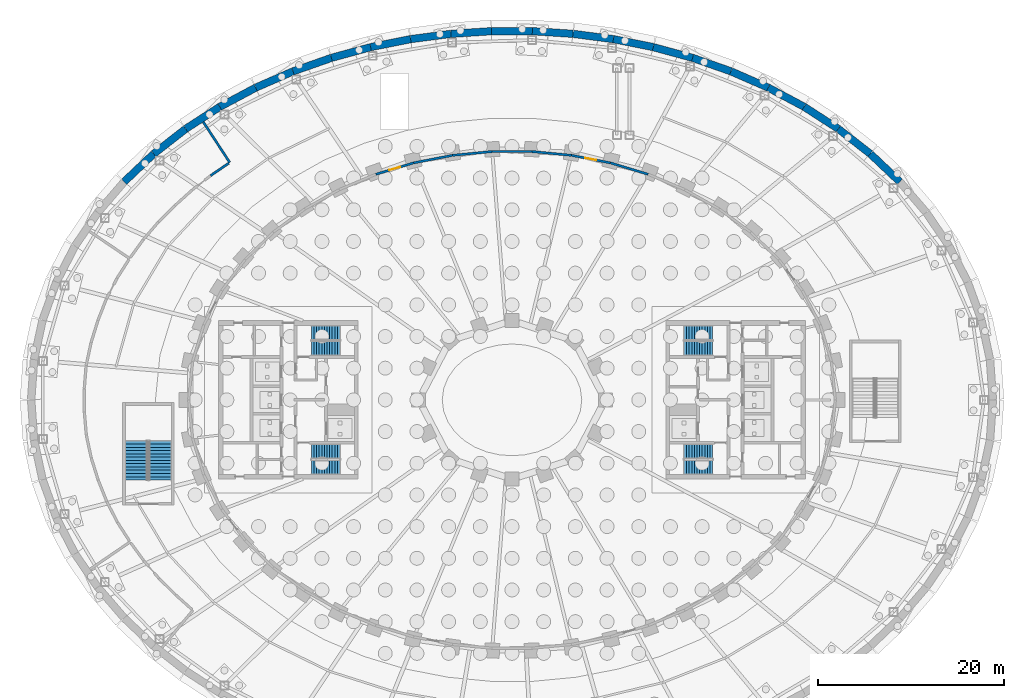
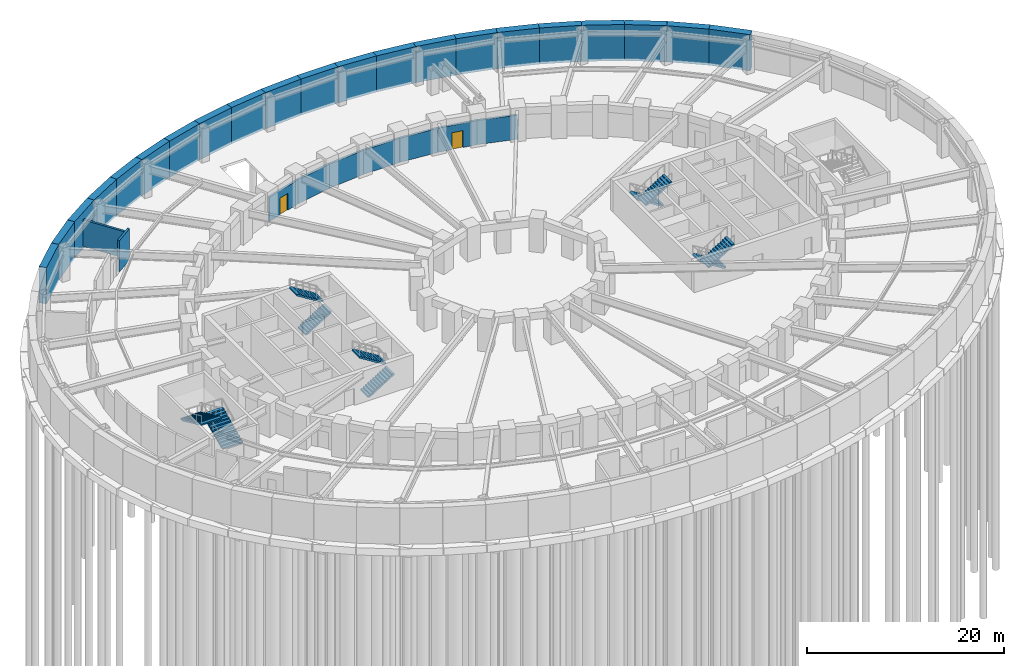
# One storey, part 15 of 19: 30 walls, 10 stair flights, 2 doors, 2 openings, 5 elements without a shape of their own.
"""IFC4 building model written with IfcOpenShell, lengths in metres."""

import ifcopenshell
import ifcopenshell.guid

model = None  # the IFC model being written
_history = None  # IfcOwnerHistory: only IFC2X3 demands one
_inside = {}  # id of a spatial element -> (the spatial element, [elements in it])
_under = {}  # id of a project, library or spatial element -> (it, [spatial elements below it])
_declared = {}  # id of a project -> (the project, [libraries it declares])
_typed = {}  # id of a type object -> (the type object, [elements of that type])
_made_of = {}  # id of a material, layer set ... -> (it, [elements and type objects made of it])


def new_model(schema):
    """Start an empty IFC model of exactly this schema.

    Asked for "IFC4X3", IfcOpenShell would pick the latest addendum, in which some entities
    have other attributes; the version numbers below select the first issue.
    IFC2X3 requires an IfcOwnerHistory on every rooted entity: one is made here for all.
    """
    global model, _history
    if schema == "IFC4X3":
        model = ifcopenshell.file(schema_version=(4, 3, 0, 0))
    else:
        model = ifcopenshell.file(schema=schema)
    _inside.clear()
    _under.clear()
    _declared.clear()
    _typed.clear()
    _made_of.clear()
    _history = None
    if model.schema == "IFC2X3":
        org = make("IfcOrganization", Name="unknown")
        user = make(
            "IfcPersonAndOrganization",
            ThePerson=make("IfcPerson", FamilyName="unknown"),
            TheOrganization=org,
        )
        app = make(
            "IfcApplication",
            ApplicationDeveloper=org,
            Version="unknown",
            ApplicationFullName="unknown",
            ApplicationIdentifier="unknown",
        )
        _history = make(
            "IfcOwnerHistory",
            OwningUser=user,
            OwningApplication=app,
            ChangeAction="ADDED",
            CreationDate=0,
        )
    return model


def make(cls, **values):
    """One entity of the class cls with the attributes given. An attribute that is None is left unset."""
    return model.create_entity(
        cls, **{name: value for name, value in values.items() if value is not None}
    )


def rooted(cls, **values):
    """An entity with a GlobalId (a new one), such as an element, a storey or a relation."""
    return make(cls, GlobalId=ifcopenshell.guid.new(), OwnerHistory=_history, **values)


def si_unit(unit_type, name, prefix=None):
    """IfcSIUnit, for example si_unit("LENGTHUNIT", "METRE", prefix="MILLI")."""
    return make("IfcSIUnit", UnitType=unit_type, Prefix=prefix, Name=name)


def assignment(units):
    """IfcUnitAssignment: the units of a project."""
    return None if units is None else make("IfcUnitAssignment", Units=units)


def point(xyz):
    """IfcCartesianPoint."""
    return None if xyz is None else make("IfcCartesianPoint", Coordinates=xyz)


def direction(xyz):
    """IfcDirection."""
    return None if xyz is None else make("IfcDirection", DirectionRatios=xyz)


def frame(location, z_axis=None, x_axis=None):
    """IfcAxis2Placement3D, a coordinate frame: its origin and axes. An axis left out is left unset."""
    return make(
        "IfcAxis2Placement3D",
        Location=point(location),
        Axis=direction(z_axis),
        RefDirection=direction(x_axis),
    )


def frame_2d(location, x_axis=None):
    """IfcAxis2Placement2D, a coordinate frame in the plane: its origin and x axis."""
    return make(
        "IfcAxis2Placement2D", Location=point(location), RefDirection=direction(x_axis)
    )


def origin():
    """The frame at (0, 0, 0) with its axes left unset."""
    return frame((0.0, 0.0, 0.0))


def place(relative_to, where):
    """IfcLocalPlacement: puts the frame where relative to a parent placement (None: the world)."""
    return make(
        "IfcLocalPlacement", PlacementRelTo=relative_to, RelativePlacement=where
    )


def context(
    kind, dimensions, precision=None, world=None, true_north=None, identifier=None
):
    """IfcGeometricRepresentationContext, for example the 3D "Model" context."""
    return make(
        "IfcGeometricRepresentationContext",
        ContextIdentifier=identifier,
        ContextType=kind,
        CoordinateSpaceDimension=dimensions,
        Precision=precision,
        WorldCoordinateSystem=world,
        TrueNorth=true_north,
    )


def subcontext(parent, identifier, kind, view, scale=None):
    """IfcGeometricRepresentationSubContext, for example "Body" below "Model"."""
    return make(
        "IfcGeometricRepresentationSubContext",
        ContextIdentifier=identifier,
        ContextType=kind,
        ParentContext=parent,
        TargetScale=scale,
        TargetView=view,
    )


def project(units=None, contexts=None):
    """IfcProject with its units and contexts."""
    return rooted(
        "IfcProject",
        Name="project",
        RepresentationContexts=contexts,
        UnitsInContext=assignment(units),
    )


def spatial(cls, under=None, at=None, **own):
    """A site, building, storey or space (cls), placed at a placement, below another one or the project."""
    s = rooted(cls, ObjectPlacement=at, **own)
    if under is not None:
        _under.setdefault(under.id(), (under, []))[1].append(s)
    return s


def polyline(points):
    """IfcPolyline through the points."""
    return make("IfcPolyline", Points=[point(p) for p in points])


def profile(cls, at=None, kind="AREA", **sizes):
    """A parametric profile (cls). Its sizes go by their IFC names, for example OverallWidth=200.0."""
    return make(cls, ProfileType=kind, Position=at, **sizes)


def rectangle(**sizes):
    """IfcRectangleProfileDef."""
    return profile("IfcRectangleProfileDef", **sizes)


def outline(outer, holes=None, kind="AREA"):
    """IfcArbitraryClosedProfileDef: a profile drawn as a closed curve; with holes, ...WithVoids."""
    if holes is None:
        return make("IfcArbitraryClosedProfileDef", ProfileType=kind, OuterCurve=outer)
    return make(
        "IfcArbitraryProfileDefWithVoids",
        ProfileType=kind,
        OuterCurve=outer,
        InnerCurves=holes,
    )


def extrude(swept, where, along, depth):
    """IfcExtrudedAreaSolid: the profile swept, set in the frame where, extruded along a direction by depth."""
    return make(
        "IfcExtrudedAreaSolid",
        SweptArea=swept,
        Position=where,
        ExtrudedDirection=direction(along),
        Depth=depth,
    )


def shape(context_of_items, identifier, shape_type, items):
    """IfcShapeRepresentation: the items that make up one representation, for example the "Body"."""
    return make(
        "IfcShapeRepresentation",
        ContextOfItems=context_of_items,
        RepresentationIdentifier=identifier,
        RepresentationType=shape_type,
        Items=items,
    )


def material(Name=None, Category=None):
    """IfcMaterial."""
    return make("IfcMaterial", Name=Name, Category=Category)


def layer(
    of_material, thickness, ventilated=None, Name=None, Category=None, Priority=None
):
    """IfcMaterialLayer: one layer of a wall or slab, of a material (None: an air gap)."""
    return make(
        "IfcMaterialLayer",
        Material=of_material,
        LayerThickness=thickness,
        IsVentilated=ventilated,
        Name=Name,
        Category=Category,
        Priority=Priority,
    )


def layer_set(layers, Name=None):
    """IfcMaterialLayerSet."""
    return make("IfcMaterialLayerSet", MaterialLayers=layers, LayerSetName=Name)


def made_of(thing, what):
    """Note that an element or type object is made of a material, layer set ...; save() writes the relation."""
    if what is not None:
        _made_of.setdefault(what.id(), (what, []))[1].append(thing)
    return thing


def type_object(cls, material=None, **own):
    """A type object (cls), such as IfcWallType, which elements share."""
    return made_of(rooted(cls, **own), material)


def element(
    cls,
    number,
    at=None,
    inside=None,
    cuts=None,
    type_object=None,
    material=None,
    context=None,
    identifier="Body",
    shape_type=None,
    held_by="IfcProductDefinitionShape",
    body=None,
    shapes=None,
    **own,
):
    """One element of the class cls, such as IfcWall. Its Tag is "e" and its number.

    at: its placement. inside: the storey or other place that contains it. cuts: it is an
    opening in that element (IfcRelVoidsElement). A single representation is given by context,
    identifier, shape_type and body (its items); several are given by shapes. held_by: the class
    of the entity that holds the representations. save() writes the other relations.
    """
    e = rooted(cls, Tag="e%d" % number, ObjectPlacement=at, **own)
    if body is not None:
        shapes = [shape(context, identifier, shape_type, body)]
    if shapes is not None:
        e.Representation = make(held_by, Representations=shapes)
    if inside is not None:
        _inside.setdefault(inside.id(), (inside, []))[1].append(e)
    if cuts is not None:
        rooted(
            "IfcRelVoidsElement", RelatingBuildingElement=cuts, RelatedOpeningElement=e
        )
    if type_object is not None:
        _typed.setdefault(type_object.id(), (type_object, []))[1].append(e)
    return made_of(e, material)


def fill(opening, filler):
    """IfcRelFillsElement: the door or window that sits in an opening."""
    return rooted(
        "IfcRelFillsElement",
        RelatingOpeningElement=opening,
        RelatedBuildingElement=filler,
    )


def aggregate(whole, parts):
    """IfcRelAggregates: a whole, such as a stair, and the parts it consists of."""
    return rooted("IfcRelAggregates", RelatingObject=whole, RelatedObjects=parts)


def save(model, path):
    """Write the relations noted so far, then the file.

    IfcRelAggregates (storeys below a building ...), IfcRelContainedInSpatialStructure (elements
    in a storey), IfcRelDefinesByType, IfcRelAssociatesMaterial and IfcRelDeclares: one each for
    every whole, place, type object, material and project.
    """
    for whole, parts in _under.values():
        aggregate(whole, parts)
    for where, things in _inside.values():
        rooted(
            "IfcRelContainedInSpatialStructure",
            RelatedElements=things,
            RelatingStructure=where,
        )
    for kind, things in _typed.values():
        rooted("IfcRelDefinesByType", RelatedObjects=things, RelatingType=kind)
    for what, things in _made_of.values():
        rooted("IfcRelAssociatesMaterial", RelatedObjects=things, RelatingMaterial=what)
    for by, libraries in _declared.values():
        rooted("IfcRelDeclares", RelatingContext=by, RelatedDefinitions=libraries)
    model.write(path)


model = new_model("IFC4")

# Units and contexts
model_context = context("Model", 3, precision=1e-05, world=origin(), true_north=direction((0.0, 1.0)))
body_context = subcontext(model_context, "Body", "Model", "MODEL_VIEW")
ifc_project = project(units=[si_unit("LENGTHUNIT", "METRE"), si_unit("AREAUNIT", "SQUARE_METRE"), si_unit("VOLUMEUNIT", "CUBIC_METRE"), si_unit("PLANEANGLEUNIT", "RADIAN"), si_unit("MASSUNIT", "GRAM", prefix="KILO")], contexts=[model_context])

# Site, building, storey
site_placement = place(None, origin())
site = spatial("IfcSite", under=ifc_project, at=site_placement, CompositionType="ELEMENT")
building_placement = place(site_placement, origin())
building = spatial("IfcBuilding", under=site, at=building_placement, Name="Noorbagh Ring Tower", CompositionType="ELEMENT")
storey_placement = place(building_placement, frame((0.0, 0.0, -8.39990234375)))
storey = spatial("IfcBuildingStorey", under=building, at=storey_placement, Name="B2", CompositionType="ELEMENT", Elevation=-8.39990234375)

# Walls
ifc_material_1 = material(Name="Concrete C40/50", Category="concrete")
ifc_layer_1 = layer(ifc_material_1, 0.25)
ifc_layer_set_1 = layer_set([ifc_layer_1], Name="Concrete C40/50")
wall_type_1 = type_object("IfcWallType", Name="GND-WALL-250", PredefinedType="SOLIDWALL", material=ifc_layer_set_1)
wall_1_placement = place(storey_placement, frame((-30.388671875, 25.400146484375, 0.0), z_axis=(0.0, 0.0, 1.0), x_axis=(-0.825532464696, -0.564354631178, 0.0)))
element("IfcWall", 1, at=wall_1_placement, inside=storey, type_object=wall_type_1, Name="Plant room", PredefinedType="SOLIDWALL", context=body_context, shape_type="SweptSolid", body=[
    extrude(rectangle(XDim=2.365966796875, YDim=0.25, at=frame_2d((1.18310546875, 0.0))), origin(), (0.0, 0.0, 1.0), 3.89990234375),
])
wall_2_placement = place(storey_placement, frame((-30.285400390625, 25.470703125, 0.0), z_axis=(0.0, 0.0, 1.0), x_axis=(-0.54701658568, 0.837121768318, 0.0)))
element("IfcWall", 2, at=wall_2_placement, inside=storey, type_object=wall_type_1, Name="Plant room", PredefinedType="SOLIDWALL", context=body_context, shape_type="SweptSolid", body=[
    extrude(rectangle(XDim=5.199951171875, YDim=0.25, at=frame_2d((2.60009765625, 0.0))), origin(), (0.0, 0.0, 1.0), 3.2998046875),
])
ifc_material_2 = material(Name="Concrete C40/50", Category="concrete")
ifc_layer_2 = layer(ifc_material_2, 0.25)
ifc_layer_set_2 = layer_set([ifc_layer_2], Name="Concrete C40/50")
wall_type_2 = type_object("IfcWallType", Name="GND-WALL-RING", PredefinedType="SOLIDWALL", material=ifc_layer_set_2)
wall_3_placement = place(storey_placement, frame((14.6162109375, 24.2080078125, 0.0), z_axis=(0.0, 0.0, 1.0), x_axis=(-0.957589494621, 0.28813600919, 0.0)))
element("IfcWall", 3, at=wall_3_placement, inside=storey, type_object=wall_type_2, Name="Tower basement fire wall", PredefinedType="SOLIDWALL", context=body_context, shape_type="SweptSolid", body=[
    extrude(rectangle(XDim=4.234130859375, YDim=0.25, at=frame_2d((2.1171875, 0.0))), origin(), (0.0, 0.0, 1.0), 3.0),
])

# Wall, opening, door
wall_4_placement = place(storey_placement, frame((10.544189453125, 25.432373046875, 0.0), z_axis=(0.0, 0.0, 1.0), x_axis=(-0.981622881166, 0.190831127365, 0.0)))
wall_4 = element("IfcWall", 4, at=wall_4_placement, inside=storey, type_object=wall_type_2, Name="Tower basement fire wall", PredefinedType="SOLIDWALL", context=body_context, shape_type="SweptSolid", body=[
    extrude(rectangle(XDim=4.23974609375, YDim=0.25, at=frame_2d((2.119873046875, 0.0))), origin(), (0.0, 0.0, 1.0), 3.0),
])
opening_1_placement = place(wall_4_placement, frame((1.52001953125, 0.0, 0.0)))
opening_1 = element("IfcOpeningElement", 5, at=opening_1_placement, cuts=wall_4, Name="Opening GD4", PredefinedType="OPENING", context=body_context, shape_type="SweptSolid", body=[
    extrude(rectangle(XDim=1.199951171875, YDim=2.10009765625, at=frame_2d((0.60009765625, 1.050048828125))), frame((0.0, 0.135009765625, 0.0), z_axis=(0.0, -1.0, 0.0), x_axis=(1.0, 0.0, 0.0)), (0.0, 0.0, 1.0), 0.27001953125),
])
ifc_material_3 = material(Name="Steel", Category="steel")
door_type = type_object("IfcDoorType", Name="GND-DOOR-RING", OperationType="DOUBLE_DOOR_SINGLE_SWING", PredefinedType="DOOR", material=ifc_material_3)
door_1_placement = place(opening_1_placement, origin())
door_1 = element("IfcDoor", 6, at=door_1_placement, inside=storey, type_object=door_type, Name="Tower basement door", OperationType="DOUBLE_DOOR_SINGLE_SWING", OverallHeight=2.10009765625, OverallWidth=1.199951171875, PredefinedType="DOOR", context=body_context, shape_type="SweptSolid", body=[
    extrude(rectangle(XDim=1.199951171875, YDim=2.10009765625, at=frame_2d((0.60009765625, 1.050048828125))), frame((0.0, 0.02490234375, 0.0), z_axis=(0.0, -1.0, 0.0), x_axis=(1.0, 0.0, 0.0)), (0.0, 0.0, 1.0), 0.050048828125),
])
fill(opening_1, door_1)

# Walls
wall_5_placement = place(storey_placement, frame((6.364501953125, 26.243896484375, 0.0), z_axis=(0.0, 0.0, 1.0), x_axis=(-0.995473208191, 0.09504257874, 0.0)))
element("IfcWall", 7, at=wall_5_placement, inside=storey, type_object=wall_type_2, Name="Tower basement fire wall", PredefinedType="SOLIDWALL", context=body_context, shape_type="SweptSolid", body=[
    extrude(rectangle(XDim=4.24365234375, YDim=0.25, at=frame_2d((2.121826171875, 0.0))), origin(), (0.0, 0.0, 1.0), 3.0),
])
wall_6_placement = place(storey_placement, frame((2.122314453125, 26.64794921875, 0.0), z_axis=(0.0, 0.0, 1.0), x_axis=(-1.0, 0.0, 0.0)))
element("IfcWall", 8, at=wall_6_placement, inside=storey, type_object=wall_type_2, Name="Tower basement fire wall", PredefinedType="SOLIDWALL", context=body_context, shape_type="SweptSolid", body=[
    extrude(rectangle(XDim=4.24462890625, YDim=0.25, at=frame_2d((2.122314453125, 0.0))), origin(), (0.0, 0.0, 1.0), 3.0),
])
wall_7_placement = place(storey_placement, frame((-2.14013671875, 26.647216796875, 0.0), z_axis=(0.0, 0.0, 1.0), x_axis=(-0.995473208191, -0.09504257874, 0.0)))
element("IfcWall", 9, at=wall_7_placement, inside=storey, type_object=wall_type_2, Name="Tower basement fire wall", PredefinedType="SOLIDWALL", context=body_context, shape_type="SweptSolid", body=[
    extrude(rectangle(XDim=4.24365234375, YDim=0.25, at=frame_2d((2.121826171875, 0.0))), origin(), (0.0, 0.0, 1.0), 3.0),
])
wall_8_placement = place(storey_placement, frame((-6.38232421875, 26.241455078125, 0.0), z_axis=(0.0, 0.0, 1.0), x_axis=(-0.981622881166, -0.190831127365, 0.0)))
element("IfcWall", 10, at=wall_8_placement, inside=storey, type_object=wall_type_2, Name="Tower basement fire wall", PredefinedType="SOLIDWALL", context=body_context, shape_type="SweptSolid", body=[
    extrude(rectangle(XDim=4.23974609375, YDim=0.25, at=frame_2d((2.119873046875, 0.0))), origin(), (0.0, 0.0, 1.0), 3.0),
])

# Wall, opening, door
wall_9_placement = place(storey_placement, frame((-10.561767578125, 25.427978515625, 0.0), z_axis=(0.0, 0.0, 1.0), x_axis=(-0.957589494621, -0.28813600919, 0.0)))
wall_9 = element("IfcWall", 11, at=wall_9_placement, inside=storey, type_object=wall_type_2, Name="Tower basement fire wall", PredefinedType="SOLIDWALL", context=body_context, shape_type="SweptSolid", body=[
    extrude(rectangle(XDim=4.234130859375, YDim=0.25, at=frame_2d((2.1171875, 0.0))), origin(), (0.0, 0.0, 1.0), 3.0),
])
opening_2_placement = place(wall_9_placement, frame((1.51708984375, 0.0, 0.0)))
opening_2 = element("IfcOpeningElement", 12, at=opening_2_placement, cuts=wall_9, Name="Opening GD4", PredefinedType="OPENING", context=body_context, shape_type="SweptSolid", body=[
    extrude(rectangle(XDim=1.199951171875, YDim=2.10009765625, at=frame_2d((0.60009765625, 1.050048828125))), frame((0.0, 0.135009765625, 0.0), z_axis=(0.0, -1.0, 0.0), x_axis=(1.0, 0.0, 0.0)), (0.0, 0.0, 1.0), 0.27001953125),
])
door_2_placement = place(opening_2_placement, origin())
door_2 = element("IfcDoor", 13, at=door_2_placement, inside=storey, type_object=door_type, Name="Tower basement door", OperationType="DOUBLE_DOOR_SINGLE_SWING", OverallHeight=2.10009765625, OverallWidth=1.199951171875, PredefinedType="DOOR", context=body_context, shape_type="SweptSolid", body=[
    extrude(rectangle(XDim=1.199951171875, YDim=2.10009765625, at=frame_2d((0.60009765625, 1.050048828125))), frame((0.0, 0.02490234375, 0.0), z_axis=(0.0, -1.0, 0.0), x_axis=(1.0, 0.0, 0.0)), (0.0, 0.0, 1.0), 0.050048828125),
])
fill(opening_2, door_2)

# Walls
ifc_material_4 = material(Name="Concrete C40/50", Category="concrete")
ifc_layer_3 = layer(ifc_material_4, 0.800048828125)
ifc_layer_set_3 = layer_set([ifc_layer_3], Name="Concrete C40/50")
wall_type_3 = type_object("IfcWallType", Name="STR-RETAINING-WALL", PredefinedType="SOLIDWALL", material=ifc_layer_set_3)
wall_10_placement = place(storey_placement, frame((41.61669921875, 23.406005859375, -0.300048828125), z_axis=(0.0, 0.0, 1.0), x_axis=(-0.72620446032, 0.687478786444, 0.0)))
element("IfcWall", 14, at=wall_10_placement, inside=storey, type_object=wall_type_3, Name="B2/retwall/07", PredefinedType="SOLIDWALL", context=body_context, shape_type="SweptSolid", body=[
    extrude(rectangle(XDim=4.356201171875, YDim=0.800048828125, at=frame_2d((2.17822265625, 0.0))), origin(), (0.0, 0.0, 1.0), 4.5),
])
wall_11_placement = place(storey_placement, frame((38.453125, 26.40087890625, -0.300048828125), z_axis=(0.0, 0.0, 1.0), x_axis=(-0.788491985196, 0.615045030288, 0.0)))
element("IfcWall", 15, at=wall_11_placement, inside=storey, type_object=wall_type_3, Name="B2/retwall/08", PredefinedType="SOLIDWALL", context=body_context, shape_type="SweptSolid", body=[
    extrude(rectangle(XDim=4.359375, YDim=0.800048828125, at=frame_2d((2.1796875, 0.0))), origin(), (0.0, 0.0, 1.0), 4.5),
])
wall_12_placement = place(storey_placement, frame((35.015869140625, 29.08203125, -0.300048828125), z_axis=(0.0, 0.0, 1.0), x_axis=(-0.840047348843, 0.542513088969, 0.0)))
element("IfcWall", 16, at=wall_12_placement, inside=storey, type_object=wall_type_3, Name="B2/retwall/09", PredefinedType="SOLIDWALL", context=body_context, shape_type="SweptSolid", body=[
    extrude(rectangle(XDim=4.362060546875, YDim=0.800048828125, at=frame_2d((2.18115234375, 0.0))), origin(), (0.0, 0.0, 1.0), 4.5),
])
wall_13_placement = place(storey_placement, frame((31.3515625, 31.448486328125, -0.300048828125), z_axis=(0.0, 0.0, 1.0), x_axis=(-0.882159305704, 0.47095112205, 0.0)))
element("IfcWall", 17, at=wall_13_placement, inside=storey, type_object=wall_type_3, Name="B2/retwall/10", PredefinedType="SOLIDWALL", context=body_context, shape_type="SweptSolid", body=[
    extrude(rectangle(XDim=4.364501953125, YDim=0.800048828125, at=frame_2d((2.18212890625, 0.0))), origin(), (0.0, 0.0, 1.0), 4.5),
])
wall_14_placement = place(storey_placement, frame((27.50146484375, 33.50390625, -0.300048828125), z_axis=(0.0, 0.0, 1.0), x_axis=(-0.916336904548, 0.400408138483, 0.0)))
element("IfcWall", 18, at=wall_14_placement, inside=storey, type_object=wall_type_3, Name="B2/retwall/11", PredefinedType="SOLIDWALL", context=body_context, shape_type="SweptSolid", body=[
    extrude(rectangle(XDim=4.3662109375, YDim=0.800048828125, at=frame_2d((2.18310546875, 0.0))), origin(), (0.0, 0.0, 1.0), 4.5),
])
wall_15_placement = place(storey_placement, frame((23.50048828125, 35.252197265625, -0.300048828125), z_axis=(0.0, 0.0, 1.0), x_axis=(-0.943526738033, 0.331296384853, 0.0)))
element("IfcWall", 19, at=wall_15_placement, inside=storey, type_object=wall_type_3, Name="B2/retwall/12", PredefinedType="SOLIDWALL", context=body_context, shape_type="SweptSolid", body=[
    extrude(rectangle(XDim=4.36767578125, YDim=0.800048828125, at=frame_2d((2.183837890625, 0.0))), origin(), (0.0, 0.0, 1.0), 4.5),
])
wall_16_placement = place(storey_placement, frame((19.37939453125, 36.69921875, -0.300048828125), z_axis=(0.0, 0.0, 1.0), x_axis=(-0.964679950239, 0.263424739931, 0.0)))
element("IfcWall", 20, at=wall_16_placement, inside=storey, type_object=wall_type_3, Name="B2/retwall/13", PredefinedType="SOLIDWALL", context=body_context, shape_type="SweptSolid", body=[
    extrude(rectangle(XDim=4.368896484375, YDim=0.800048828125, at=frame_2d((2.1845703125, 0.0))), origin(), (0.0, 0.0, 1.0), 4.5),
])
wall_17_placement = place(storey_placement, frame((15.164794921875, 37.85009765625, -0.300048828125), z_axis=(0.0, 0.0, 1.0), x_axis=(-0.980494629762, 0.196545875071, 0.0)))
element("IfcWall", 21, at=wall_17_placement, inside=storey, type_object=wall_type_3, Name="B2/retwall/14", PredefinedType="SOLIDWALL", context=body_context, shape_type="SweptSolid", body=[
    extrude(rectangle(XDim=4.369873046875, YDim=0.800048828125, at=frame_2d((2.18505859375, 0.0))), origin(), (0.0, 0.0, 1.0), 4.5),
])
wall_18_placement = place(storey_placement, frame((10.880126953125, 38.708984375, -0.300048828125), z_axis=(0.0, 0.0, 1.0), x_axis=(-0.991441741932, 0.130549884544, 0.0)))
element("IfcWall", 22, at=wall_18_placement, inside=storey, type_object=wall_type_3, Name="B2/retwall/15", PredefinedType="SOLIDWALL", context=body_context, shape_type="SweptSolid", body=[
    extrude(rectangle(XDim=4.370361328125, YDim=0.800048828125, at=frame_2d((2.18505859375, 0.0))), origin(), (0.0, 0.0, 1.0), 4.5),
])
wall_19_placement = place(storey_placement, frame((6.547119140625, 39.279541015625, -0.300048828125), z_axis=(0.0, 0.0, 1.0), x_axis=(-0.997876871627, 0.065128711577, 0.0)))
element("IfcWall", 23, at=wall_19_placement, inside=storey, type_object=wall_type_3, Name="B2/retwall/16", PredefinedType="SOLIDWALL", context=body_context, shape_type="SweptSolid", body=[
    extrude(rectangle(XDim=4.370849609375, YDim=0.800048828125, at=frame_2d((2.185546875, 0.0))), origin(), (0.0, 0.0, 1.0), 4.5),
])
wall_20_placement = place(storey_placement, frame((2.185546875, 39.564208984375, -0.300048828125), z_axis=(0.0, 0.0, 1.0), x_axis=(-1.0, 0.0, 0.0)))
element("IfcWall", 24, at=wall_20_placement, inside=storey, type_object=wall_type_3, Name="B2/retwall/17", PredefinedType="SOLIDWALL", context=body_context, shape_type="SweptSolid", body=[
    extrude(rectangle(XDim=4.37109375, YDim=0.800048828125, at=frame_2d((2.185546875, 0.0))), origin(), (0.0, 0.0, 1.0), 4.5),
])
wall_21_placement = place(storey_placement, frame((-2.185546875, 39.564208984375, -0.300048828125), z_axis=(0.0, 0.0, 1.0), x_axis=(-0.997876871627, -0.065128711577, 0.0)))
element("IfcWall", 25, at=wall_21_placement, inside=storey, type_object=wall_type_3, Name="B2/retwall/18", PredefinedType="SOLIDWALL", context=body_context, shape_type="SweptSolid", body=[
    extrude(rectangle(XDim=4.370849609375, YDim=0.800048828125, at=frame_2d((2.185546875, 0.0))), origin(), (0.0, 0.0, 1.0), 4.5),
])
wall_22_placement = place(storey_placement, frame((-6.547119140625, 39.279541015625, -0.300048828125), z_axis=(0.0, 0.0, 1.0), x_axis=(-0.991441741932, -0.130549884544, 0.0)))
element("IfcWall", 26, at=wall_22_placement, inside=storey, type_object=wall_type_3, Name="B2/retwall/19", PredefinedType="SOLIDWALL", context=body_context, shape_type="SweptSolid", body=[
    extrude(rectangle(XDim=4.370361328125, YDim=0.800048828125, at=frame_2d((2.18505859375, 0.0))), origin(), (0.0, 0.0, 1.0), 4.5),
])
wall_23_placement = place(storey_placement, frame((-10.880126953125, 38.708984375, -0.300048828125), z_axis=(0.0, 0.0, 1.0), x_axis=(-0.980494629762, -0.196545875071, 0.0)))
element("IfcWall", 27, at=wall_23_placement, inside=storey, type_object=wall_type_3, Name="B2/retwall/20", PredefinedType="SOLIDWALL", context=body_context, shape_type="SweptSolid", body=[
    extrude(rectangle(XDim=4.369873046875, YDim=0.800048828125, at=frame_2d((2.18505859375, 0.0))), origin(), (0.0, 0.0, 1.0), 4.5),
])
wall_24_placement = place(storey_placement, frame((-15.164794921875, 37.85009765625, -0.300048828125), z_axis=(0.0, 0.0, 1.0), x_axis=(-0.964679950239, -0.263424739931, 0.0)))
element("IfcWall", 28, at=wall_24_placement, inside=storey, type_object=wall_type_3, Name="B2/retwall/21", PredefinedType="SOLIDWALL", context=body_context, shape_type="SweptSolid", body=[
    extrude(rectangle(XDim=4.368896484375, YDim=0.800048828125, at=frame_2d((2.1845703125, 0.0))), origin(), (0.0, 0.0, 1.0), 4.5),
])
wall_25_placement = place(storey_placement, frame((-19.37939453125, 36.69921875, -0.300048828125), z_axis=(0.0, 0.0, 1.0), x_axis=(-0.943526738033, -0.331296384853, 0.0)))
element("IfcWall", 29, at=wall_25_placement, inside=storey, type_object=wall_type_3, Name="B2/retwall/22", PredefinedType="SOLIDWALL", context=body_context, shape_type="SweptSolid", body=[
    extrude(rectangle(XDim=4.36767578125, YDim=0.800048828125, at=frame_2d((2.183837890625, 0.0))), origin(), (0.0, 0.0, 1.0), 4.5),
])
wall_26_placement = place(storey_placement, frame((-23.50048828125, 35.252197265625, -0.300048828125), z_axis=(0.0, 0.0, 1.0), x_axis=(-0.916336904548, -0.400408138483, 0.0)))
element("IfcWall", 30, at=wall_26_placement, inside=storey, type_object=wall_type_3, Name="B2/retwall/23", PredefinedType="SOLIDWALL", context=body_context, shape_type="SweptSolid", body=[
    extrude(rectangle(XDim=4.3662109375, YDim=0.800048828125, at=frame_2d((2.18310546875, 0.0))), origin(), (0.0, 0.0, 1.0), 4.5),
])
wall_27_placement = place(storey_placement, frame((-27.50146484375, 33.50390625, -0.300048828125), z_axis=(0.0, 0.0, 1.0), x_axis=(-0.882159305704, -0.47095112205, 0.0)))
element("IfcWall", 31, at=wall_27_placement, inside=storey, type_object=wall_type_3, Name="B2/retwall/24", PredefinedType="SOLIDWALL", context=body_context, shape_type="SweptSolid", body=[
    extrude(rectangle(XDim=4.364501953125, YDim=0.800048828125, at=frame_2d((2.18212890625, 0.0))), origin(), (0.0, 0.0, 1.0), 4.5),
])
wall_28_placement = place(storey_placement, frame((-31.3515625, 31.448486328125, -0.300048828125), z_axis=(0.0, 0.0, 1.0), x_axis=(-0.840047348843, -0.542513088969, 0.0)))
element("IfcWall", 32, at=wall_28_placement, inside=storey, type_object=wall_type_3, Name="B2/retwall/25", PredefinedType="SOLIDWALL", context=body_context, shape_type="SweptSolid", body=[
    extrude(rectangle(XDim=4.362060546875, YDim=0.800048828125, at=frame_2d((2.18115234375, 0.0))), origin(), (0.0, 0.0, 1.0), 4.5),
])
wall_29_placement = place(storey_placement, frame((-35.015869140625, 29.08203125, -0.300048828125), z_axis=(0.0, 0.0, 1.0), x_axis=(-0.788491985196, -0.615045030288, 0.0)))
element("IfcWall", 33, at=wall_29_placement, inside=storey, type_object=wall_type_3, Name="B2/retwall/26", PredefinedType="SOLIDWALL", context=body_context, shape_type="SweptSolid", body=[
    extrude(rectangle(XDim=4.359375, YDim=0.800048828125, at=frame_2d((2.1796875, 0.0))), origin(), (0.0, 0.0, 1.0), 4.5),
])
wall_30_placement = place(storey_placement, frame((-38.453125, 26.40087890625, -0.300048828125), z_axis=(0.0, 0.0, 1.0), x_axis=(-0.72620446032, -0.687478786444, 0.0)))
element("IfcWall", 34, at=wall_30_placement, inside=storey, type_object=wall_type_3, Name="B2/retwall/27", PredefinedType="SOLIDWALL", context=body_context, shape_type="SweptSolid", body=[
    extrude(rectangle(XDim=4.356201171875, YDim=0.800048828125, at=frame_2d((2.17822265625, 0.0))), origin(), (0.0, 0.0, 1.0), 4.5),
])

# Stair, stair flights
ifc_material_5 = material(Name="Concrete C40/50", Category="concrete")
stair_type_1 = type_object("IfcStairType", Name="CORE-STAIR", PredefinedType="HALF_TURN_STAIR", material=ifc_material_5)
stair_1_placement = place(storey_placement, origin())
stair_1 = element("IfcStair", 35, at=stair_1_placement, inside=storey, type_object=stair_type_1, Name="B2 Exit stair ST1", PredefinedType="HALF_TURN_STAIR")
ifc_material_6 = material(Name="Concrete C40/50", Category="concrete")
stair_flight_type_1 = type_object("IfcStairFlightType", Name="CORE-STAIR-FLIGHT", PredefinedType="STRAIGHT", material=ifc_material_6)
stair_flight_1_placement = place(storey_placement, frame((-21.530029296875, 5.52490234375, 0.0), z_axis=(0.0, 0.0, 1.0), x_axis=(1.0, 0.0, 0.0)))
stair_flight_1 = element("IfcStairFlight", 36, at=stair_flight_1_placement, type_object=stair_flight_type_1, Name="ST1 flight 1", NumberOfRisers=12, NumberOfTreads=11, PredefinedType="STRAIGHT", RiserHeight=0.175, TreadLength=0.28, context=body_context, shape_type="SweptSolid", body=[
    extrude(outline(polyline([(0.0, 0.0), (0.0, 0.175048828125), (0.280029296875, 0.175048828125), (0.280029296875, 0.35009765625), (0.56005859375, 0.35009765625), (0.56005859375, 0.52490234375), (0.840087890625, 0.52490234375), (0.840087890625, 0.699951171875), (1.1201171875, 0.699951171875), (1.1201171875, 0.875), (1.39990234375, 0.875), (1.39990234375, 1.050048828125), (1.679931640625, 1.050048828125), (1.679931640625, 1.22509765625), (1.9599609375, 1.22509765625), (1.9599609375, 1.39990234375), (2.239990234375, 1.39990234375), (2.239990234375, 1.574951171875), (2.52001953125, 1.574951171875), (2.52001953125, 1.75), (2.800048828125, 1.75), (2.800048828125, 1.925048828125), (3.080078125, 1.925048828125), (3.080078125, 2.10009765625), (3.080078125, 1.748291015625), (0.28271484375, 0.0), (0.0, 0.0)])), frame((0.0, 0.77490234375, 0.0), z_axis=(0.0, -1.0, 0.0), x_axis=(1.0, 0.0, 0.0)), (0.0, 0.0, 1.0), 1.550048828125),
])
stair_flight_2_placement = place(storey_placement, frame((-18.449951171875, 7.22509765625, 2.099853515625), z_axis=(0.0, 0.0, 1.0), x_axis=(-1.0, 0.0, 0.0)))
stair_flight_2 = element("IfcStairFlight", 37, at=stair_flight_2_placement, type_object=stair_flight_type_1, Name="ST1 flight 2", NumberOfRisers=12, NumberOfTreads=11, PredefinedType="STRAIGHT", RiserHeight=0.175, TreadLength=0.28, context=body_context, shape_type="SweptSolid", body=[
    extrude(outline(polyline([(0.0, 0.0), (0.0, 0.175048828125), (0.280029296875, 0.175048828125), (0.280029296875, 0.35009765625), (0.56005859375, 0.35009765625), (0.56005859375, 0.52490234375), (0.840087890625, 0.52490234375), (0.840087890625, 0.699951171875), (1.1201171875, 0.699951171875), (1.1201171875, 0.875), (1.39990234375, 0.875), (1.39990234375, 1.050048828125), (1.679931640625, 1.050048828125), (1.679931640625, 1.22509765625), (1.9599609375, 1.22509765625), (1.9599609375, 1.39990234375), (2.239990234375, 1.39990234375), (2.239990234375, 1.574951171875), (2.52001953125, 1.574951171875), (2.52001953125, 1.75), (2.800048828125, 1.75), (2.800048828125, 1.925048828125), (3.080078125, 1.925048828125), (3.080078125, 2.10009765625), (3.080078125, 1.748291015625), (0.28271484375, 0.0), (0.0, 0.0)])), frame((0.0, 0.77490234375, 0.0), z_axis=(0.0, -1.0, 0.0), x_axis=(1.0, 0.0, 0.0)), (0.0, 0.0, 1.0), 1.550048828125),
])
aggregate(stair_1, [stair_flight_1, stair_flight_2])

stair_2_placement = place(storey_placement, origin())
stair_2 = element("IfcStair", 38, at=stair_2_placement, inside=storey, type_object=stair_type_1, Name="B2 Exit stair ST2", PredefinedType="HALF_TURN_STAIR")
stair_flight_3_placement = place(storey_placement, frame((-21.530029296875, -7.22509765625, 0.0), z_axis=(0.0, 0.0, 1.0), x_axis=(1.0, 0.0, 0.0)))
stair_flight_3 = element("IfcStairFlight", 39, at=stair_flight_3_placement, type_object=stair_flight_type_1, Name="ST2 flight 1", NumberOfRisers=12, NumberOfTreads=11, PredefinedType="STRAIGHT", RiserHeight=0.175, TreadLength=0.28, context=body_context, shape_type="SweptSolid", body=[
    extrude(outline(polyline([(0.0, 0.0), (0.0, 0.175048828125), (0.280029296875, 0.175048828125), (0.280029296875, 0.35009765625), (0.56005859375, 0.35009765625), (0.56005859375, 0.52490234375), (0.840087890625, 0.52490234375), (0.840087890625, 0.699951171875), (1.1201171875, 0.699951171875), (1.1201171875, 0.875), (1.39990234375, 0.875), (1.39990234375, 1.050048828125), (1.679931640625, 1.050048828125), (1.679931640625, 1.22509765625), (1.9599609375, 1.22509765625), (1.9599609375, 1.39990234375), (2.239990234375, 1.39990234375), (2.239990234375, 1.574951171875), (2.52001953125, 1.574951171875), (2.52001953125, 1.75), (2.800048828125, 1.75), (2.800048828125, 1.925048828125), (3.080078125, 1.925048828125), (3.080078125, 2.10009765625), (3.080078125, 1.748291015625), (0.28271484375, 0.0), (0.0, 0.0)])), frame((0.0, 0.77490234375, 0.0), z_axis=(0.0, -1.0, 0.0), x_axis=(1.0, 0.0, 0.0)), (0.0, 0.0, 1.0), 1.550048828125),
])
stair_flight_4_placement = place(storey_placement, frame((-18.449951171875, -5.52490234375, 2.099853515625), z_axis=(0.0, 0.0, 1.0), x_axis=(-1.0, 0.0, 0.0)))
stair_flight_4 = element("IfcStairFlight", 40, at=stair_flight_4_placement, type_object=stair_flight_type_1, Name="ST2 flight 2", NumberOfRisers=12, NumberOfTreads=11, PredefinedType="STRAIGHT", RiserHeight=0.175, TreadLength=0.28, context=body_context, shape_type="SweptSolid", body=[
    extrude(outline(polyline([(0.0, 0.0), (0.0, 0.175048828125), (0.280029296875, 0.175048828125), (0.280029296875, 0.35009765625), (0.56005859375, 0.35009765625), (0.56005859375, 0.52490234375), (0.840087890625, 0.52490234375), (0.840087890625, 0.699951171875), (1.1201171875, 0.699951171875), (1.1201171875, 0.875), (1.39990234375, 0.875), (1.39990234375, 1.050048828125), (1.679931640625, 1.050048828125), (1.679931640625, 1.22509765625), (1.9599609375, 1.22509765625), (1.9599609375, 1.39990234375), (2.239990234375, 1.39990234375), (2.239990234375, 1.574951171875), (2.52001953125, 1.574951171875), (2.52001953125, 1.75), (2.800048828125, 1.75), (2.800048828125, 1.925048828125), (3.080078125, 1.925048828125), (3.080078125, 2.10009765625), (3.080078125, 1.748291015625), (0.28271484375, 0.0), (0.0, 0.0)])), frame((0.0, 0.77490234375, 0.0), z_axis=(0.0, -1.0, 0.0), x_axis=(1.0, 0.0, 0.0)), (0.0, 0.0, 1.0), 1.550048828125),
])
aggregate(stair_2, [stair_flight_3, stair_flight_4])

stair_3_placement = place(storey_placement, origin())
stair_3 = element("IfcStair", 41, at=stair_3_placement, inside=storey, type_object=stair_type_1, Name="B2 Exit stair ST3", PredefinedType="HALF_TURN_STAIR")
stair_flight_5_placement = place(storey_placement, frame((21.530029296875, 7.22509765625, 0.0), z_axis=(0.0, 0.0, 1.0), x_axis=(-1.0, 0.0, 0.0)))
stair_flight_5 = element("IfcStairFlight", 42, at=stair_flight_5_placement, type_object=stair_flight_type_1, Name="ST3 flight 1", NumberOfRisers=12, NumberOfTreads=11, PredefinedType="STRAIGHT", RiserHeight=0.175, TreadLength=0.28, context=body_context, shape_type="SweptSolid", body=[
    extrude(outline(polyline([(0.0, 0.0), (0.0, 0.175048828125), (0.280029296875, 0.175048828125), (0.280029296875, 0.35009765625), (0.56005859375, 0.35009765625), (0.56005859375, 0.52490234375), (0.840087890625, 0.52490234375), (0.840087890625, 0.699951171875), (1.1201171875, 0.699951171875), (1.1201171875, 0.875), (1.39990234375, 0.875), (1.39990234375, 1.050048828125), (1.679931640625, 1.050048828125), (1.679931640625, 1.22509765625), (1.9599609375, 1.22509765625), (1.9599609375, 1.39990234375), (2.239990234375, 1.39990234375), (2.239990234375, 1.574951171875), (2.52001953125, 1.574951171875), (2.52001953125, 1.75), (2.800048828125, 1.75), (2.800048828125, 1.925048828125), (3.080078125, 1.925048828125), (3.080078125, 2.10009765625), (3.080078125, 1.748291015625), (0.28271484375, 0.0), (0.0, 0.0)])), frame((0.0, 0.77490234375, 0.0), z_axis=(0.0, -1.0, 0.0), x_axis=(1.0, 0.0, 0.0)), (0.0, 0.0, 1.0), 1.550048828125),
])
stair_flight_6_placement = place(storey_placement, frame((18.449951171875, 5.52490234375, 2.099853515625), z_axis=(0.0, 0.0, 1.0), x_axis=(1.0, 0.0, 0.0)))
stair_flight_6 = element("IfcStairFlight", 43, at=stair_flight_6_placement, type_object=stair_flight_type_1, Name="ST3 flight 2", NumberOfRisers=12, NumberOfTreads=11, PredefinedType="STRAIGHT", RiserHeight=0.175, TreadLength=0.28, context=body_context, shape_type="SweptSolid", body=[
    extrude(outline(polyline([(0.0, 0.0), (0.0, 0.175048828125), (0.280029296875, 0.175048828125), (0.280029296875, 0.35009765625), (0.56005859375, 0.35009765625), (0.56005859375, 0.52490234375), (0.840087890625, 0.52490234375), (0.840087890625, 0.699951171875), (1.1201171875, 0.699951171875), (1.1201171875, 0.875), (1.39990234375, 0.875), (1.39990234375, 1.050048828125), (1.679931640625, 1.050048828125), (1.679931640625, 1.22509765625), (1.9599609375, 1.22509765625), (1.9599609375, 1.39990234375), (2.239990234375, 1.39990234375), (2.239990234375, 1.574951171875), (2.52001953125, 1.574951171875), (2.52001953125, 1.75), (2.800048828125, 1.75), (2.800048828125, 1.925048828125), (3.080078125, 1.925048828125), (3.080078125, 2.10009765625), (3.080078125, 1.748291015625), (0.28271484375, 0.0), (0.0, 0.0)])), frame((0.0, 0.77490234375, 0.0), z_axis=(0.0, -1.0, 0.0), x_axis=(1.0, 0.0, 0.0)), (0.0, 0.0, 1.0), 1.550048828125),
])
aggregate(stair_3, [stair_flight_5, stair_flight_6])

stair_4_placement = place(storey_placement, origin())
stair_4 = element("IfcStair", 44, at=stair_4_placement, inside=storey, type_object=stair_type_1, Name="B2 Exit stair ST4", PredefinedType="HALF_TURN_STAIR")
stair_flight_7_placement = place(storey_placement, frame((21.530029296875, -5.52490234375, 0.0), z_axis=(0.0, 0.0, 1.0), x_axis=(-1.0, 0.0, 0.0)))
stair_flight_7 = element("IfcStairFlight", 45, at=stair_flight_7_placement, type_object=stair_flight_type_1, Name="ST4 flight 1", NumberOfRisers=12, NumberOfTreads=11, PredefinedType="STRAIGHT", RiserHeight=0.175, TreadLength=0.28, context=body_context, shape_type="SweptSolid", body=[
    extrude(outline(polyline([(0.0, 0.0), (0.0, 0.175048828125), (0.280029296875, 0.175048828125), (0.280029296875, 0.35009765625), (0.56005859375, 0.35009765625), (0.56005859375, 0.52490234375), (0.840087890625, 0.52490234375), (0.840087890625, 0.699951171875), (1.1201171875, 0.699951171875), (1.1201171875, 0.875), (1.39990234375, 0.875), (1.39990234375, 1.050048828125), (1.679931640625, 1.050048828125), (1.679931640625, 1.22509765625), (1.9599609375, 1.22509765625), (1.9599609375, 1.39990234375), (2.239990234375, 1.39990234375), (2.239990234375, 1.574951171875), (2.52001953125, 1.574951171875), (2.52001953125, 1.75), (2.800048828125, 1.75), (2.800048828125, 1.925048828125), (3.080078125, 1.925048828125), (3.080078125, 2.10009765625), (3.080078125, 1.748291015625), (0.28271484375, 0.0), (0.0, 0.0)])), frame((0.0, 0.77490234375, 0.0), z_axis=(0.0, -1.0, 0.0), x_axis=(1.0, 0.0, 0.0)), (0.0, 0.0, 1.0), 1.550048828125),
])
stair_flight_8_placement = place(storey_placement, frame((18.449951171875, -7.22509765625, 2.099853515625), z_axis=(0.0, 0.0, 1.0), x_axis=(1.0, 0.0, 0.0)))
stair_flight_8 = element("IfcStairFlight", 46, at=stair_flight_8_placement, type_object=stair_flight_type_1, Name="ST4 flight 2", NumberOfRisers=12, NumberOfTreads=11, PredefinedType="STRAIGHT", RiserHeight=0.175, TreadLength=0.28, context=body_context, shape_type="SweptSolid", body=[
    extrude(outline(polyline([(0.0, 0.0), (0.0, 0.175048828125), (0.280029296875, 0.175048828125), (0.280029296875, 0.35009765625), (0.56005859375, 0.35009765625), (0.56005859375, 0.52490234375), (0.840087890625, 0.52490234375), (0.840087890625, 0.699951171875), (1.1201171875, 0.699951171875), (1.1201171875, 0.875), (1.39990234375, 0.875), (1.39990234375, 1.050048828125), (1.679931640625, 1.050048828125), (1.679931640625, 1.22509765625), (1.9599609375, 1.22509765625), (1.9599609375, 1.39990234375), (2.239990234375, 1.39990234375), (2.239990234375, 1.574951171875), (2.52001953125, 1.574951171875), (2.52001953125, 1.75), (2.800048828125, 1.75), (2.800048828125, 1.925048828125), (3.080078125, 1.925048828125), (3.080078125, 2.10009765625), (3.080078125, 1.748291015625), (0.28271484375, 0.0), (0.0, 0.0)])), frame((0.0, 0.77490234375, 0.0), z_axis=(0.0, -1.0, 0.0), x_axis=(1.0, 0.0, 0.0)), (0.0, 0.0, 1.0), 1.550048828125),
])
aggregate(stair_4, [stair_flight_7, stair_flight_8])

ifc_material_7 = material(Name="Concrete C40/50", Category="concrete")
stair_type_2 = type_object("IfcStairType", Name="GND-STAIR", PredefinedType="HALF_TURN_STAIR", material=ifc_material_7)
stair_5_placement = place(storey_placement, origin())
stair_5 = element("IfcStair", 47, at=stair_5_placement, inside=storey, type_object=stair_type_2, Name="B2 exit stair ST-P1", PredefinedType="HALF_TURN_STAIR")
ifc_material_8 = material(Name="Concrete C40/50", Category="concrete")
stair_flight_type_2 = type_object("IfcStairFlightType", Name="GND-STAIR-FLIGHT", PredefinedType="STRAIGHT", material=ifc_material_8)
stair_flight_9_placement = place(storey_placement, frame((-37.75, -8.60009765625, 0.0), z_axis=(0.0, 0.0, 1.0), x_axis=(0.0, 1.0, 0.0)))
stair_flight_9 = element("IfcStairFlight", 48, at=stair_flight_9_placement, type_object=stair_flight_type_2, Name="ST-P1 flight 1", NumberOfRisers=13, NumberOfTreads=12, PredefinedType="STRAIGHT", RiserHeight=0.161538462, TreadLength=0.35, context=body_context, shape_type="SweptSolid", body=[
    extrude(outline(polyline([(0.0, 0.0), (0.0, 0.16162109375), (0.35009765625, 0.16162109375), (0.35009765625, 0.322998046875), (0.699951171875, 0.322998046875), (0.699951171875, 0.484619140625), (1.050048828125, 0.484619140625), (1.050048828125, 0.646240234375), (1.39990234375, 0.646240234375), (1.39990234375, 0.8076171875), (1.75, 0.8076171875), (1.75, 0.96923828125), (2.10009765625, 0.96923828125), (2.10009765625, 1.130859375), (2.449951171875, 1.130859375), (2.449951171875, 1.292236328125), (2.800048828125, 1.292236328125), (2.800048828125, 1.453857421875), (3.14990234375, 1.453857421875), (3.14990234375, 1.615478515625), (3.5, 1.615478515625), (3.5, 1.77685546875), (3.85009765625, 1.77685546875), (3.85009765625, 1.9384765625), (4.199951171875, 1.9384765625), (4.199951171875, 2.10009765625), (4.199951171875, 1.7734375), (0.357666015625, 0.0), (0.0, 0.0)])), frame((0.0, 1.199951171875, 0.0), z_axis=(0.0, -1.0, 0.0), x_axis=(1.0, 0.0, 0.0)), (0.0, 0.0, 1.0), 2.39990234375),
])
stair_flight_10_placement = place(storey_placement, frame((-40.300048828125, -4.39990234375, 2.099853515625), z_axis=(0.0, 0.0, 1.0), x_axis=(0.0, -1.0, 0.0)))
stair_flight_10 = element("IfcStairFlight", 49, at=stair_flight_10_placement, type_object=stair_flight_type_2, Name="ST-P1 flight 2", NumberOfRisers=13, NumberOfTreads=12, PredefinedType="STRAIGHT", RiserHeight=0.161538462, TreadLength=0.35, context=body_context, shape_type="SweptSolid", body=[
    extrude(outline(polyline([(0.0, 0.0), (0.0, 0.16162109375), (0.35009765625, 0.16162109375), (0.35009765625, 0.322998046875), (0.699951171875, 0.322998046875), (0.699951171875, 0.484619140625), (1.050048828125, 0.484619140625), (1.050048828125, 0.646240234375), (1.39990234375, 0.646240234375), (1.39990234375, 0.8076171875), (1.75, 0.8076171875), (1.75, 0.96923828125), (2.10009765625, 0.96923828125), (2.10009765625, 1.130859375), (2.449951171875, 1.130859375), (2.449951171875, 1.292236328125), (2.800048828125, 1.292236328125), (2.800048828125, 1.453857421875), (3.14990234375, 1.453857421875), (3.14990234375, 1.615478515625), (3.5, 1.615478515625), (3.5, 1.77685546875), (3.85009765625, 1.77685546875), (3.85009765625, 1.9384765625), (4.199951171875, 1.9384765625), (4.199951171875, 2.10009765625), (4.199951171875, 1.7734375), (0.357666015625, 0.0), (0.0, 0.0)])), frame((0.0, 1.199951171875, 0.0), z_axis=(0.0, -1.0, 0.0), x_axis=(1.0, 0.0, 0.0)), (0.0, 0.0, 1.0), 2.39990234375),
])
aggregate(stair_5, [stair_flight_9, stair_flight_10])

save(model, "model.ifc")
